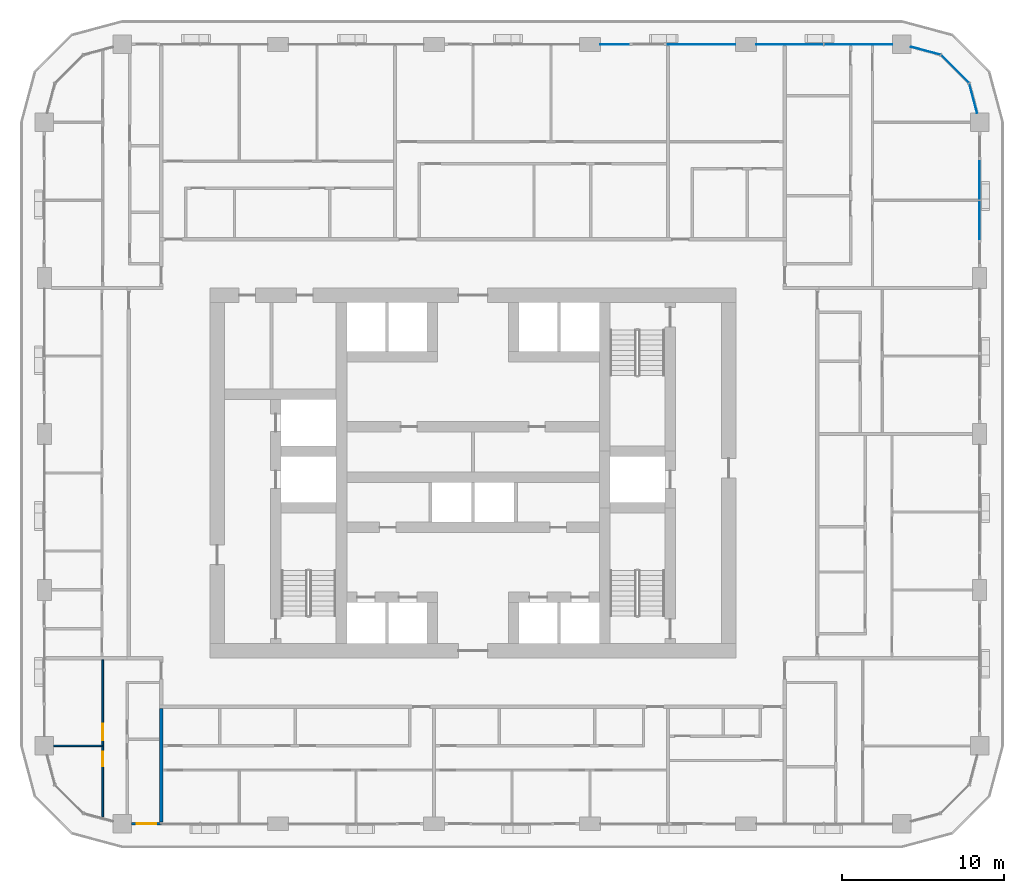
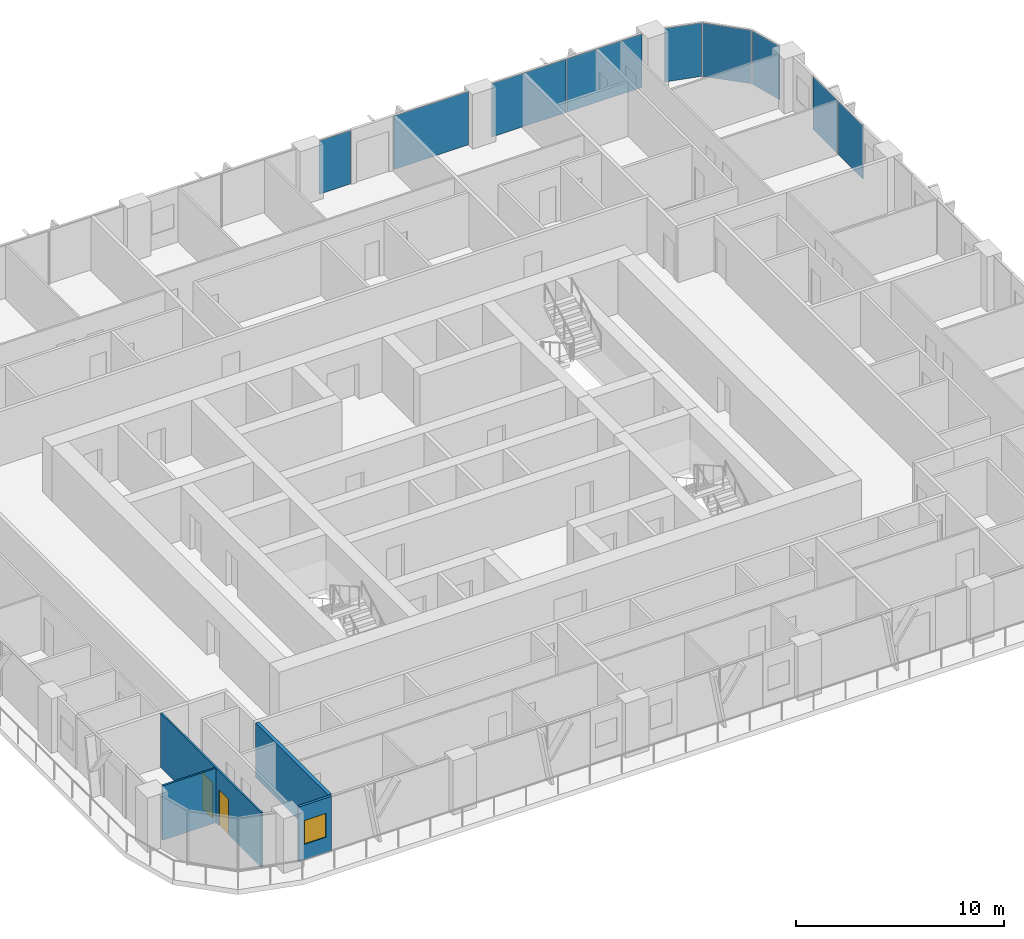
# One storey, part 8 of 21: 9 plates, 4 walls, 2 doors, 1 window, 3 openings, 4 elements without a shape of their own.
"""IFC4 building model written with IfcOpenShell, lengths in metres."""

from ifc_helpers import new_model, si_unit, direction, frame, frame_2d, origin, origin_2d, place, context, subcontext, project, spatial, rectangle, extrude, material, layer, layer_set, type_object, element, fill, aggregate, save


model = new_model("IFC4")

# Units and contexts
model_context = context("Model", 3, precision=1e-05, world=origin(), true_north=direction((0.0, 1.0)))
body_context = subcontext(model_context, "Body", "Model", "MODEL_VIEW")
ifc_project = project(units=[si_unit("LENGTHUNIT", "METRE"), si_unit("AREAUNIT", "SQUARE_METRE"), si_unit("VOLUMEUNIT", "CUBIC_METRE"), si_unit("PLANEANGLEUNIT", "RADIAN"), si_unit("MASSUNIT", "GRAM", prefix="KILO")], contexts=[model_context])

# Site, building, storey
site_placement = place(None, origin())
site = spatial("IfcSite", under=ifc_project, at=site_placement, CompositionType="ELEMENT")
building_placement = place(site_placement, origin())
building = spatial("IfcBuilding", under=site, at=building_placement, Name="Madar Terraces", CompositionType="ELEMENT")
storey_placement = place(building_placement, frame((0.0, 0.0, 96.199951171875)))
storey = spatial("IfcBuildingStorey", under=building, at=storey_placement, Name="L24", CompositionType="ELEMENT", Elevation=96.199951171875)

# Curtain wall, plates
ifc_material_1 = material(Name="Glass, ceramic frit dark grey, with black aluminium frame", Category="aluminium")
ifc_layer_1 = layer(ifc_material_1, 0.199951171875)
ifc_layer_set_1 = layer_set([ifc_layer_1], Name="Facade curtain wall, fritted glass")
curtain_wall_type = type_object("IfcCurtainWallType", Name="Facade curtain wall, fritted glass", PredefinedType="NOTDEFINED", material=ifc_layer_set_1)
curtain_wall_1_placement = place(storey_placement, origin())
curtain_wall_1 = element("IfcCurtainWall", 1, at=curtain_wall_1_placement, inside=storey, type_object=curtain_wall_type, Name="Outer skin curtain wall east bay 4", PredefinedType="NOTDEFINED")
ifc_material_2 = material(Name="Glass, ceramic frit dark grey", Category="glass")
ifc_layer_2 = layer(ifc_material_2, 0.028076171875)
ifc_layer_set_2 = layer_set([ifc_layer_2], Name="Facade glass panel 28")
plate_type = type_object("IfcPlateType", Name="Facade glass panel 28", PredefinedType="CURTAIN_PANEL", material=ifc_layer_set_2)
plate_1_placement = place(storey_placement, frame((62.39990234375, 41.985107421875, 0.0), z_axis=(0.0, 0.0, 1.0), x_axis=(0.0, 1.0, 0.0)))
plate_1 = element("IfcPlate", 2, at=plate_1_placement, type_object=plate_type, Name="Panel 1", PredefinedType="CURTAIN_PANEL", context=body_context, shape_type="SweptSolid", body=[
    extrude(rectangle(XDim=2.3701171875, YDim=0.028076171875, at=origin_2d()), origin(), (0.0, 0.0, 1.0), 3.139892578125),
])
plate_2_placement = place(storey_placement, frame((62.39990234375, 44.4150390625, 0.0), z_axis=(0.0, 0.0, 1.0), x_axis=(0.0, 1.0, 0.0)))
plate_2 = element("IfcPlate", 3, at=plate_2_placement, type_object=plate_type, Name="Panel 2", PredefinedType="CURTAIN_PANEL", context=body_context, shape_type="SweptSolid", body=[
    extrude(rectangle(XDim=2.3701171875, YDim=0.028076171875, at=origin_2d()), origin(), (0.0, 0.0, 1.0), 3.139892578125),
])
aggregate(curtain_wall_1, [plate_1, plate_2])

curtain_wall_2_placement = place(storey_placement, origin())
curtain_wall_2 = element("IfcCurtainWall", 4, at=curtain_wall_2_placement, inside=storey, type_object=curtain_wall_type, Name="Outer skin curtain wall north bay 1", PredefinedType="NOTDEFINED")
plate_3_placement = place(storey_placement, frame((54.927490234375, 52.800048828125, 0.0), z_axis=(0.0, 0.0, 1.0), x_axis=(-1.0, 0.0, 0.0)))
plate_3 = element("IfcPlate", 5, at=plate_3_placement, type_object=plate_type, Name="Panel 1", PredefinedType="CURTAIN_PANEL", context=body_context, shape_type="SweptSolid", body=[
    extrude(rectangle(XDim=4.195068359375, YDim=0.028076171875, at=origin_2d()), origin(), (0.0, 0.0, 1.0), 3.139892578125),
])
plate_4_placement = place(storey_placement, frame((50.7099609375, 52.800048828125, 0.0), z_axis=(0.0, 0.0, 1.0), x_axis=(-1.0, 0.0, 0.0)))
plate_4 = element("IfcPlate", 6, at=plate_4_placement, type_object=plate_type, Name="Panel 2", PredefinedType="CURTAIN_PANEL", context=body_context, shape_type="SweptSolid", body=[
    extrude(rectangle(XDim=4.1201171875, YDim=0.028076171875, at=origin_2d()), origin(), (0.0, 0.0, 1.0), 3.139892578125),
])
aggregate(curtain_wall_2, [plate_3, plate_4])

curtain_wall_3_placement = place(storey_placement, origin())
curtain_wall_3 = element("IfcCurtainWall", 7, at=curtain_wall_3_placement, inside=storey, type_object=curtain_wall_type, Name="Outer skin curtain wall north bay 2", PredefinedType="NOTDEFINED")
plate_5_placement = place(storey_placement, frame((45.27490234375, 52.800048828125, 0.0), z_axis=(0.0, 0.0, 1.0), x_axis=(-1.0, 0.0, 0.0)))
plate_5 = element("IfcPlate", 8, at=plate_5_placement, type_object=plate_type, Name="Panel 1", PredefinedType="CURTAIN_PANEL", context=body_context, shape_type="SweptSolid", body=[
    extrude(rectangle(XDim=4.14990234375, YDim=0.028076171875, at=origin_2d()), origin(), (0.0, 0.0, 1.0), 3.139892578125),
])
plate_6_placement = place(storey_placement, frame((39.925048828125, 52.800048828125, 0.0), z_axis=(0.0, 0.0, 1.0), x_axis=(-1.0, 0.0, 0.0)))
plate_6 = element("IfcPlate", 9, at=plate_6_placement, type_object=plate_type, Name="Panel 2", PredefinedType="CURTAIN_PANEL", context=body_context, shape_type="SweptSolid", body=[
    extrude(rectangle(XDim=1.75, YDim=0.028076171875, at=origin_2d()), origin(), (0.0, 0.0, 1.0), 3.139892578125),
])
aggregate(curtain_wall_3, [plate_5, plate_6])

curtain_wall_4_placement = place(storey_placement, origin())
curtain_wall_4 = element("IfcCurtainWall", 10, at=curtain_wall_4_placement, inside=storey, type_object=curtain_wall_type, Name="Outer skin curtain wall north-east corner", PredefinedType="NOTDEFINED")
plate_7_placement = place(storey_placement, frame((62.00537109375, 49.472900390625, 0.0), z_axis=(0.0, 0.0, 1.0), x_axis=(-0.258819021888, 0.965925832509, 0.0)))
plate_7 = element("IfcPlate", 11, at=plate_7_placement, type_object=plate_type, Name="Panel 1", PredefinedType="CURTAIN_PANEL", context=body_context, shape_type="SweptSolid", body=[
    extrude(rectangle(XDim=1.859375, YDim=0.028076171875, at=origin_2d()), origin(), (0.0, 0.0, 1.0), 3.139892578125),
])
plate_8_placement = place(storey_placement, frame((60.87841796875, 51.278564453125, 0.0), z_axis=(0.0, 0.0, 1.0), x_axis=(-0.707106781187, 0.707106781187, 0.0)))
plate_8 = element("IfcPlate", 12, at=plate_8_placement, type_object=plate_type, Name="Panel 2", PredefinedType="CURTAIN_PANEL", context=body_context, shape_type="SweptSolid", body=[
    extrude(rectangle(XDim=2.424560546875, YDim=0.028076171875, at=origin_2d()), origin(), (0.0, 0.0, 1.0), 3.139892578125),
])
plate_9_placement = place(storey_placement, frame((59.072998046875, 52.4052734375, 0.0), z_axis=(0.0, 0.0, 1.0), x_axis=(-0.965925832509, 0.258819021888, 0.0)))
plate_9 = element("IfcPlate", 13, at=plate_9_placement, type_object=plate_type, Name="Panel 3", PredefinedType="CURTAIN_PANEL", context=body_context, shape_type="SweptSolid", body=[
    extrude(rectangle(XDim=1.859375, YDim=0.028076171875, at=origin_2d()), origin(), (0.0, 0.0, 1.0), 3.139892578125),
])
aggregate(curtain_wall_4, [plate_7, plate_8, plate_9])

# Wall, opening, window
ifc_material_3 = material(Name="Aluminium composite panel, black, over insulated backing", Category="aluminium")
ifc_layer_3 = layer(ifc_material_3, 0.14990234375)
ifc_layer_set_3 = layer_set([ifc_layer_3], Name="Facade bay panel 150")
wall_type_1 = type_object("IfcWallType", Name="Facade bay panel 150", PredefinedType="SOLIDWALL", material=ifc_layer_set_3)
wall_1_placement = place(storey_placement, frame((10.175048828125, 4.800048828125, 0.0), z_axis=(0.0, 0.0, 1.0), x_axis=(1.0, 0.0, 0.0)))
wall_1 = element("IfcWall", 14, at=wall_1_placement, inside=storey, type_object=wall_type_1, Name="Facade bay panel", PredefinedType="SOLIDWALL", context=body_context, shape_type="SweptSolid", body=[
    extrude(rectangle(XDim=1.824951171875, YDim=0.14990234375, at=frame_2d((0.91259765625, 0.0))), origin(), (0.0, 0.0, 1.0), 3.199951171875),
])
opening_1_placement = place(wall_1_placement, frame((0.3125, 0.0, 0.89990234375)))
opening_1 = element("IfcOpeningElement", 15, at=opening_1_placement, cuts=wall_1, Name="Opening W1", PredefinedType="OPENING", context=body_context, shape_type="SweptSolid", body=[
    extrude(rectangle(XDim=1.199951171875, YDim=1.39990234375, at=frame_2d((0.60009765625, 0.699951171875))), frame((0.0, 0.0849609375, 0.0), z_axis=(0.0, -1.0, 0.0), x_axis=(1.0, 0.0, 0.0)), (0.0, 0.0, 1.0), 0.169921875),
])
ifc_material_4 = material(Name="Glass, clear, with black aluminium frame", Category="aluminium")
window_type = type_object("IfcWindowType", Name="Vent window 1200 x 1400", PartitioningType="SINGLE_PANEL", PredefinedType="WINDOW", material=ifc_material_4)
window_placement = place(opening_1_placement, origin())
window = element("IfcWindow", 16, at=window_placement, inside=storey, type_object=window_type, Name="Operable vent window", OverallHeight=1.39990234375, OverallWidth=1.199951171875, PartitioningType="SINGLE_PANEL", PredefinedType="WINDOW", context=body_context, shape_type="SweptSolid", body=[
    extrude(rectangle(XDim=1.199951171875, YDim=1.39990234375, at=frame_2d((0.60009765625, 0.699951171875))), frame((0.0, 0.030029296875, 0.0), z_axis=(0.0, -1.0, 0.0), x_axis=(1.0, 0.0, 0.0)), (0.0, 0.0, 1.0), 0.06005859375),
])
fill(opening_1, window)

# Wall
ifc_material_5 = material(Name="Gypsum board on steel studs", Category="steel")
ifc_layer_4 = layer(ifc_material_5, 0.10009765625)
ifc_layer_set_4 = layer_set([ifc_layer_4], Name="Flat partition 100")
wall_type_2 = type_object("IfcWallType", Name="Flat partition 100", PredefinedType="PARTITIONING", material=ifc_layer_set_4)
wall_2_placement = place(storey_placement, frame((8.35009765625, 9.60009765625, 0.0), z_axis=(0.0, 0.0, 1.0), x_axis=(-1.0, 0.0, 0.0)))
element("IfcWall", 17, at=wall_2_placement, inside=storey, type_object=wall_type_2, Name="Flat partition 100", PredefinedType="PARTITIONING", context=body_context, shape_type="SweptSolid", body=[
    extrude(rectangle(XDim=2.97509765625, YDim=0.10009765625, at=frame_2d((1.487548828125, 0.0))), origin(), (0.0, 0.0, 1.0), 3.199951171875),
])

# Wall, openings, doors
wall_3_placement = place(storey_placement, frame((8.39990234375, 5.221435546875, 0.0), z_axis=(0.0, 0.0, 1.0), x_axis=(0.0, 1.0, 0.0)))
wall_3 = element("IfcWall", 18, at=wall_3_placement, inside=storey, type_object=wall_type_2, Name="Flat partition 100", PredefinedType="PARTITIONING", context=body_context, shape_type="SweptSolid", body=[
    extrude(rectangle(XDim=9.678466796875, YDim=0.10009765625, at=frame_2d((4.83935546875, 0.0))), origin(), (0.0, 0.0, 1.0), 3.199951171875),
])
opening_2_placement = place(wall_3_placement, frame((4.728515625, 0.0, 0.0)))
opening_2 = element("IfcOpeningElement", 19, at=opening_2_placement, cuts=wall_3, Name="Opening D3", PredefinedType="OPENING", context=body_context, shape_type="SweptSolid", body=[
    extrude(rectangle(XDim=1.0, YDim=2.10009765625, at=frame_2d((0.5, 1.050048828125))), frame((0.0, 0.06005859375, 0.0), z_axis=(0.0, -1.0, 0.0), x_axis=(1.0, 0.0, 0.0)), (0.0, 0.0, 1.0), 0.1201171875),
])
opening_3_placement = place(wall_3_placement, frame((3.12841796875, 0.0, 0.0)))
opening_3 = element("IfcOpeningElement", 20, at=opening_3_placement, cuts=wall_3, Name="Opening D2", PredefinedType="OPENING", context=body_context, shape_type="SweptSolid", body=[
    extrude(rectangle(XDim=0.89990234375, YDim=2.10009765625, at=frame_2d((0.449951171875, 1.050048828125))), frame((0.0, 0.06005859375, 0.0), z_axis=(0.0, -1.0, 0.0), x_axis=(1.0, 0.0, 0.0)), (0.0, 0.0, 1.0), 0.1201171875),
])
ifc_material_6 = material(Name="Timber door leaf", Category="wood")
door_type_1 = type_object("IfcDoorType", Name="Flat living room door 1000", OperationType="NOTDEFINED", PredefinedType="DOOR", material=ifc_material_6)
door_1_placement = place(opening_2_placement, origin())
door_1 = element("IfcDoor", 21, at=door_1_placement, inside=storey, type_object=door_type_1, Name="Flat living room door 1000", OperationType="SINGLE_SWING_LEFT", OverallHeight=2.10009765625, OverallWidth=1.0, PredefinedType="DOOR", context=body_context, shape_type="SweptSolid", body=[
    extrude(rectangle(XDim=1.0, YDim=2.10009765625, at=frame_2d((0.5, 1.050048828125))), frame((0.0, 0.02490234375, 0.0), z_axis=(0.0, -1.0, 0.0), x_axis=(1.0, 0.0, 0.0)), (0.0, 0.0, 1.0), 0.050048828125),
])
fill(opening_2, door_1)
ifc_material_7 = material(Name="Timber door leaf", Category="wood")
door_type_2 = type_object("IfcDoorType", Name="Flat room door 900", OperationType="NOTDEFINED", PredefinedType="DOOR", material=ifc_material_7)
door_2_placement = place(opening_3_placement, origin())
door_2 = element("IfcDoor", 22, at=door_2_placement, inside=storey, type_object=door_type_2, Name="Flat room door 900", OperationType="SINGLE_SWING_RIGHT", OverallHeight=2.10009765625, OverallWidth=0.89990234375, PredefinedType="DOOR", context=body_context, shape_type="SweptSolid", body=[
    extrude(rectangle(XDim=0.89990234375, YDim=2.10009765625, at=frame_2d((0.449951171875, 1.050048828125))), frame((0.0, 0.02490234375, 0.0), z_axis=(0.0, -1.0, 0.0), x_axis=(1.0, 0.0, 0.0)), (0.0, 0.0, 1.0), 0.050048828125),
])
fill(opening_3, door_2)

# Wall
ifc_material_8 = material(Name="Lightweight blockwork", Category="masonry")
ifc_layer_5 = layer(ifc_material_8, 0.199951171875)
ifc_layer_set_5 = layer_set([ifc_layer_5], Name="Flat party and entrance wall 200")
wall_type_3 = type_object("IfcWallType", Name="Flat party and entrance wall 200", PredefinedType="PARTITIONING", material=ifc_layer_set_5)
wall_4_placement = place(storey_placement, frame((12.0, 4.89990234375, 0.0), z_axis=(0.0, 0.0, 1.0), x_axis=(0.0, 1.0, 0.0)))
element("IfcWall", 23, at=wall_4_placement, inside=storey, type_object=wall_type_3, Name="Flat party and entrance wall 200", PredefinedType="PARTITIONING", context=body_context, shape_type="SweptSolid", body=[
    extrude(rectangle(XDim=7.0, YDim=0.199951171875, at=frame_2d((3.5, 0.0))), origin(), (0.0, 0.0, 1.0), 3.199951171875),
])

save(model, "model.ifc")
